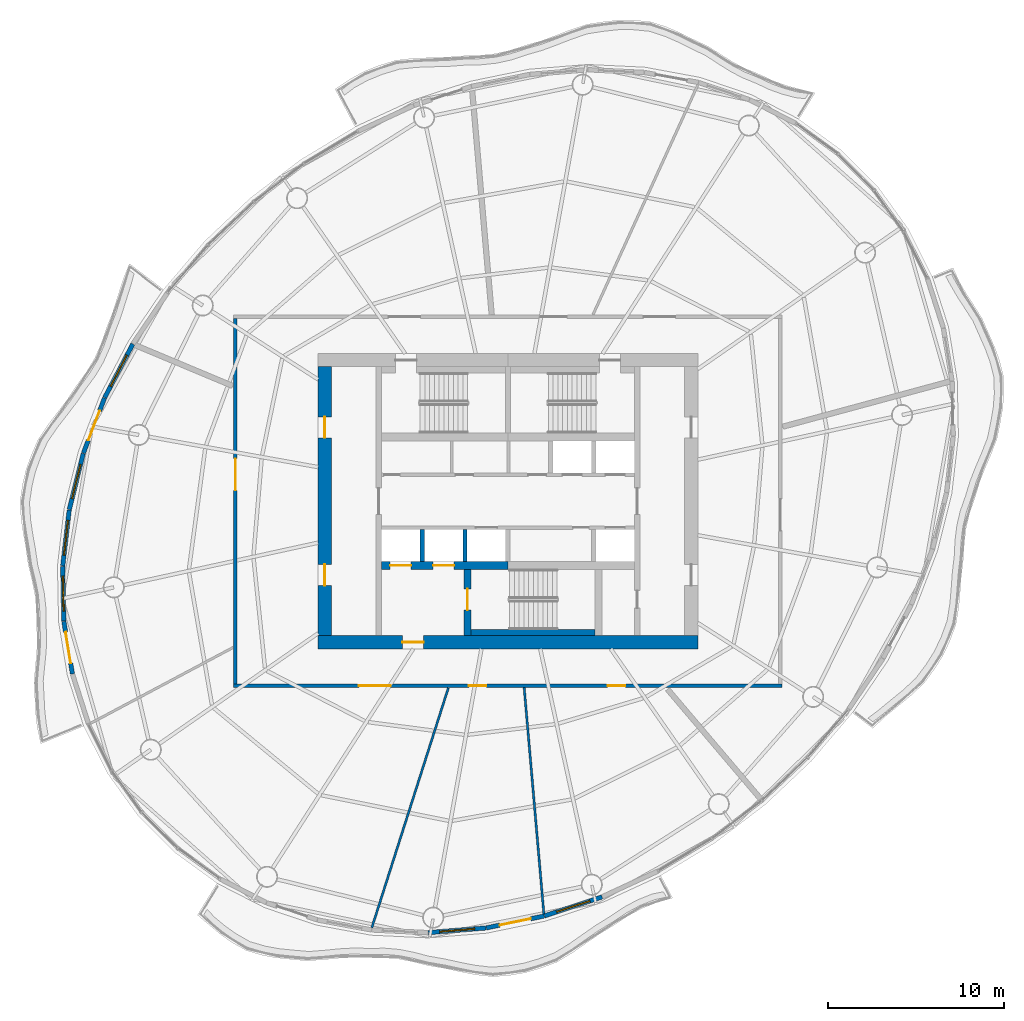
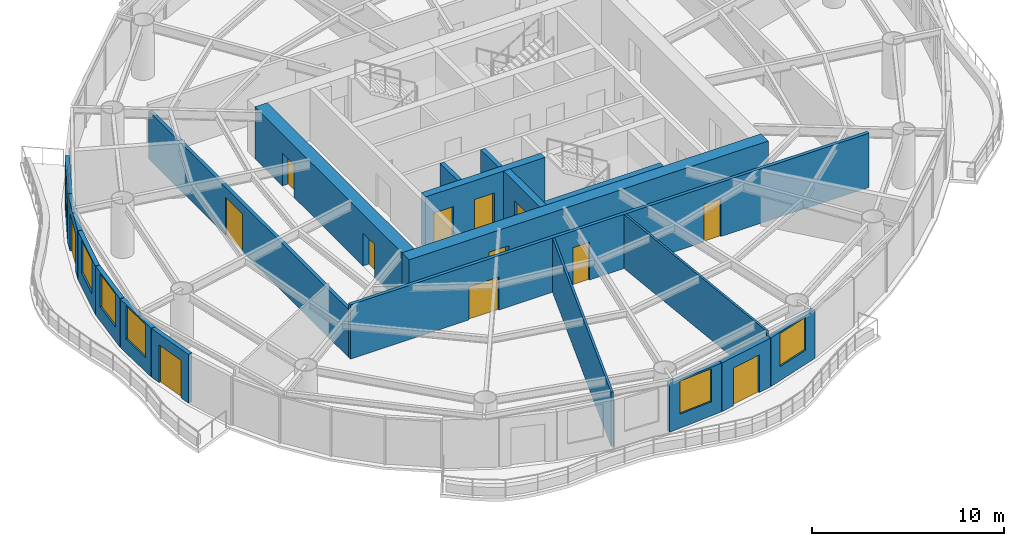
# One storey, part 8 of 14: 20 walls, 13 doors, 6 windows, 19 openings.
"""IFC4 building model written with IfcOpenShell, lengths in metres."""

from ifc_helpers import new_model, si_unit, direction, frame, frame_2d, origin, place, context, subcontext, project, spatial, rectangle, extrude, material, layer, layer_set, type_object, element, fill, save


model = new_model("IFC4")

# Units and contexts
model_context = context("Model", 3, precision=1e-05, world=origin(), true_north=direction((0.0, 1.0)))
body_context = subcontext(model_context, "Body", "Model", "MODEL_VIEW")
ifc_project = project(units=[si_unit("LENGTHUNIT", "METRE"), si_unit("AREAUNIT", "SQUARE_METRE"), si_unit("VOLUMEUNIT", "CUBIC_METRE"), si_unit("PLANEANGLEUNIT", "RADIAN"), si_unit("MASSUNIT", "GRAM", prefix="KILO")], contexts=[model_context])

# Site, building, storey
site_placement = place(None, origin())
site = spatial("IfcSite", under=ifc_project, at=site_placement, CompositionType="ELEMENT")
building_placement = place(site_placement, origin())
building = spatial("IfcBuilding", under=site, at=building_placement, Name="Vermilion Reach Broadcast Tower", CompositionType="ELEMENT")
storey_placement = place(building_placement, frame((0.0, 0.0, 195.699951171875)))
storey = spatial("IfcBuildingStorey", under=building, at=storey_placement, Name="L47", CompositionType="ELEMENT", Elevation=195.699951171875)

# Wall, opening, door
ifc_material_1 = material(Name="Concrete C60", Category="concrete")
ifc_layer_1 = layer(ifc_material_1, 0.39990234375)
ifc_layer_set_1 = layer_set([ifc_layer_1], Name="Core inner wall 400 mm Concrete C60")
wall_type_1 = type_object("IfcWallType", Name="Core inner wall 400 mm Concrete C60", PredefinedType="SHEAR", material=ifc_layer_set_1)
wall_1_placement = place(storey_placement, frame((-8.300048828125, -3.8798828125, 0.0), z_axis=(0.0, 0.0, 1.0), x_axis=(0.0, -1.0, 0.0)))
wall_1 = element("IfcWall", 1, at=wall_1_placement, inside=storey, type_object=wall_type_1, Name="L47 core wall wa", PredefinedType="SHEAR", context=body_context, shape_type="SweptSolid", body=[
    extrude(rectangle(XDim=3.77001953125, YDim=0.39990234375, at=frame_2d((1.885009765625, 0.0))), origin(), (0.0, 0.0, 1.0), 3.300048828125),
])
opening_1_placement = place(wall_1_placement, frame((1.110107421875, 0.0, 0.0)))
opening_1 = element("IfcOpeningElement", 2, at=opening_1_placement, cuts=wall_1, Name="Opening D01", PredefinedType="OPENING", context=body_context, shape_type="SweptSolid", body=[
    extrude(rectangle(XDim=1.199951171875, YDim=2.10009765625, at=frame_2d((0.60009765625, 1.050048828125))), frame((0.0, 0.2099609375, 0.0), z_axis=(0.0, -1.0, 0.0), x_axis=(1.0, 0.0, 0.0)), (0.0, 0.0, 1.0), 0.419921875),
])
ifc_material_2 = material(Name="Painted steel fire door", Category="steel")
door_type_1 = type_object("IfcDoorType", Name="Stair door 1200 x 2100", OperationType="DOUBLE_DOOR_SINGLE_SWING", PredefinedType="NOTDEFINED", material=ifc_material_2)
door_1_placement = place(opening_1_placement, origin())
door_1 = element("IfcDoor", 3, at=door_1_placement, inside=storey, type_object=door_type_1, Name="L47 stair door ST3", OperationType="DOUBLE_DOOR_SINGLE_SWING", OverallHeight=2.10009765625, OverallWidth=1.199951171875, PredefinedType="NOTDEFINED", context=body_context, shape_type="SweptSolid", body=[
    extrude(rectangle(XDim=1.199951171875, YDim=2.10009765625, at=frame_2d((0.60009765625, 1.050048828125))), frame((0.0, 0.02490234375, 0.0), z_axis=(0.0, -1.0, 0.0), x_axis=(1.0, 0.0, 0.0)), (0.0, 0.0, 1.0), 0.050048828125),
])
fill(opening_1, door_1)

# Wall, openings, doors
ifc_material_3 = material(Name="Concrete C60", Category="concrete")
ifc_layer_2 = layer(ifc_material_3, 0.449951171875)
ifc_layer_set_2 = layer_set([ifc_layer_2], Name="Core inner wall 450 mm Concrete C60")
wall_type_2 = type_object("IfcWallType", Name="Core inner wall 450 mm Concrete C60", PredefinedType="SHEAR", material=ifc_layer_set_2)
wall_2_placement = place(storey_placement, frame((-13.199951171875, -3.655029296875, 0.0), z_axis=(0.0, 0.0, 1.0), x_axis=(1.0, 0.0, 0.0)))
wall_2 = element("IfcWall", 4, at=wall_2_placement, inside=storey, type_object=wall_type_2, Name="L47 core wall wisW", PredefinedType="SHEAR", context=body_context, shape_type="SweptSolid", body=[
    extrude(rectangle(XDim=7.199951171875, YDim=0.449951171875, at=frame_2d((3.60009765625, 0.0))), origin(), (0.0, 0.0, 1.0), 3.300048828125),
])
opening_2_placement = place(wall_2_placement, frame((0.495849609375, 0.0, 0.0)))
opening_2 = element("IfcOpeningElement", 5, at=opening_2_placement, cuts=wall_2, Name="Opening LD1", PredefinedType="OPENING", context=body_context, shape_type="SweptSolid", body=[
    extrude(rectangle(XDim=1.199951171875, YDim=2.10009765625, at=frame_2d((0.60009765625, 1.050048828125))), frame((0.0, 0.23486328125, 0.0), z_axis=(0.0, -1.0, 0.0), x_axis=(1.0, 0.0, 0.0)), (0.0, 0.0, 1.0), 0.469970703125),
])
opening_3_placement = place(wall_2_placement, frame((2.9375, 0.0, 0.0)))
opening_3 = element("IfcOpeningElement", 6, at=opening_3_placement, cuts=wall_2, Name="Opening LD1", PredefinedType="OPENING", context=body_context, shape_type="SweptSolid", body=[
    extrude(rectangle(XDim=1.199951171875, YDim=2.10009765625, at=frame_2d((0.60009765625, 1.050048828125))), frame((0.0, 0.23486328125, 0.0), z_axis=(0.0, -1.0, 0.0), x_axis=(1.0, 0.0, 0.0)), (0.0, 0.0, 1.0), 0.469970703125),
])
ifc_material_4 = material(Name="Stainless steel", Category="steel")
door_type_2 = type_object("IfcDoorType", Name="Landing door 1200 x 2100", OperationType="DOUBLE_DOOR_SLIDING", PredefinedType="NOTDEFINED", material=ifc_material_4)
door_2_placement = place(opening_2_placement, origin())
door_2 = element("IfcDoor", 7, at=door_2_placement, inside=storey, type_object=door_type_2, Name="L47 landing door FF1", OperationType="DOUBLE_DOOR_SLIDING", OverallHeight=2.10009765625, OverallWidth=1.199951171875, PredefinedType="NOTDEFINED", context=body_context, shape_type="SweptSolid", body=[
    extrude(rectangle(XDim=1.199951171875, YDim=2.10009765625, at=frame_2d((0.60009765625, 1.050048828125))), frame((0.0, 0.02490234375, 0.0), z_axis=(0.0, -1.0, 0.0), x_axis=(1.0, 0.0, 0.0)), (0.0, 0.0, 1.0), 0.050048828125),
])
fill(opening_2, door_2)
door_3_placement = place(opening_3_placement, origin())
door_3 = element("IfcDoor", 8, at=door_3_placement, inside=storey, type_object=door_type_2, Name="L47 landing door FF2", OperationType="DOUBLE_DOOR_SLIDING", OverallHeight=2.10009765625, OverallWidth=1.199951171875, PredefinedType="NOTDEFINED", context=body_context, shape_type="SweptSolid", body=[
    extrude(rectangle(XDim=1.199951171875, YDim=2.10009765625, at=frame_2d((0.60009765625, 1.050048828125))), frame((0.0, 0.02490234375, 0.0), z_axis=(0.0, -1.0, 0.0), x_axis=(1.0, 0.0, 0.0)), (0.0, 0.0, 1.0), 0.050048828125),
])
fill(opening_3, door_3)

# Wall, opening, door
ifc_material_5 = material(Name="Concrete C60", Category="concrete")
ifc_layer_3 = layer(ifc_material_5, 0.75)
ifc_layer_set_3 = layer_set([ifc_layer_3], Name="Core outer wall 750 mm Concrete C60")
wall_type_3 = type_object("IfcWallType", Name="Core outer wall 750 mm Concrete C60", PredefinedType="SHEAR", material=ifc_layer_set_3)
wall_3_placement = place(storey_placement, frame((-16.800048828125, -8.02490234375, 0.0), z_axis=(0.0, 0.0, 1.0), x_axis=(1.0, 0.0, 0.0)))
wall_3 = element("IfcWall", 9, at=wall_3_placement, inside=storey, type_object=wall_type_3, Name="L47 core wall os", PredefinedType="SHEAR", context=body_context, shape_type="SweptSolid", body=[
    extrude(rectangle(XDim=21.60009765625, YDim=0.75, at=frame_2d((10.800048828125, 0.0))), origin(), (0.0, 0.0, 1.0), 3.300048828125),
])
opening_4_placement = place(wall_3_placement, frame((4.800048828125, 0.0, 0.0)))
opening_4 = element("IfcOpeningElement", 10, at=opening_4_placement, cuts=wall_3, Name="Opening D02", PredefinedType="OPENING", context=body_context, shape_type="SweptSolid", body=[
    extrude(rectangle(XDim=1.199951171875, YDim=2.10009765625, at=frame_2d((0.60009765625, 1.050048828125))), frame((0.0, 0.385009765625, 0.0), z_axis=(0.0, -1.0, 0.0), x_axis=(1.0, 0.0, 0.0)), (0.0, 0.0, 1.0), 0.77001953125),
])
ifc_material_6 = material(Name="Painted steel fire door", Category="steel")
door_type_3 = type_object("IfcDoorType", Name="Firefighting lobby door 1200 x 2100", OperationType="DOUBLE_DOOR_SINGLE_SWING", PredefinedType="NOTDEFINED", material=ifc_material_6)
door_4_placement = place(opening_4_placement, origin())
door_4 = element("IfcDoor", 11, at=door_4_placement, inside=storey, type_object=door_type_3, Name="L47 ffdoor door FFL", OperationType="DOUBLE_DOOR_SINGLE_SWING", OverallHeight=2.10009765625, OverallWidth=1.199951171875, PredefinedType="NOTDEFINED", context=body_context, shape_type="SweptSolid", body=[
    extrude(rectangle(XDim=1.199951171875, YDim=2.10009765625, at=frame_2d((0.60009765625, 1.050048828125))), frame((0.0, 0.02490234375, 0.0), z_axis=(0.0, -1.0, 0.0), x_axis=(1.0, 0.0, 0.0)), (0.0, 0.0, 1.0), 0.050048828125),
])
fill(opening_4, door_4)

# Wall, openings, doors
wall_4_placement = place(storey_placement, frame((-16.425048828125, 7.64990234375, 0.0), z_axis=(0.0, 0.0, 1.0), x_axis=(0.0, -1.0, 0.0)))
wall_4 = element("IfcWall", 12, at=wall_4_placement, inside=storey, type_object=wall_type_3, Name="L47 core wall ow", PredefinedType="SHEAR", context=body_context, shape_type="SweptSolid", body=[
    extrude(rectangle(XDim=15.2998046875, YDim=0.75, at=frame_2d((7.64990234375, 0.0))), origin(), (0.0, 0.0, 1.0), 3.300048828125),
])
opening_5_placement = place(wall_4_placement, frame((11.25, 0.0, 0.0)))
opening_5 = element("IfcOpeningElement", 13, at=opening_5_placement, cuts=wall_4, Name="Opening D03", PredefinedType="OPENING", context=body_context, shape_type="SweptSolid", body=[
    extrude(rectangle(XDim=1.199951171875, YDim=2.10009765625, at=frame_2d((0.60009765625, 1.050048828125))), frame((0.0, 0.385009765625, 0.0), z_axis=(0.0, -1.0, 0.0), x_axis=(1.0, 0.0, 0.0)), (0.0, 0.0, 1.0), 0.77001953125),
])
opening_6_placement = place(wall_4_placement, frame((2.85009765625, 0.0, 0.0)))
opening_6 = element("IfcOpeningElement", 14, at=opening_6_placement, cuts=wall_4, Name="Opening D03", PredefinedType="OPENING", context=body_context, shape_type="SweptSolid", body=[
    extrude(rectangle(XDim=1.199951171875, YDim=2.10009765625, at=frame_2d((0.60009765625, 1.050048828125))), frame((0.0, 0.385009765625, 0.0), z_axis=(0.0, -1.0, 0.0), x_axis=(1.0, 0.0, 0.0)), (0.0, 0.0, 1.0), 0.77001953125),
])
ifc_material_7 = material(Name="Painted steel fire door", Category="steel")
door_type_4 = type_object("IfcDoorType", Name="Core lobby door 1200 x 2100", OperationType="DOUBLE_DOOR_SINGLE_SWING", PredefinedType="NOTDEFINED", material=ifc_material_7)
door_5_placement = place(opening_5_placement, origin())
door_5 = element("IfcDoor", 15, at=door_5_placement, inside=storey, type_object=door_type_4, Name="L47 slot door W0", OperationType="DOUBLE_DOOR_SINGLE_SWING", OverallHeight=2.10009765625, OverallWidth=1.199951171875, PredefinedType="NOTDEFINED", context=body_context, shape_type="SweptSolid", body=[
    extrude(rectangle(XDim=1.199951171875, YDim=2.10009765625, at=frame_2d((0.60009765625, 1.050048828125))), frame((0.0, 0.02490234375, 0.0), z_axis=(0.0, -1.0, 0.0), x_axis=(1.0, 0.0, 0.0)), (0.0, 0.0, 1.0), 0.050048828125),
])
fill(opening_5, door_5)
door_6_placement = place(opening_6_placement, origin())
door_6 = element("IfcDoor", 16, at=door_6_placement, inside=storey, type_object=door_type_4, Name="L47 slot door W1", OperationType="DOUBLE_DOOR_SINGLE_SWING", OverallHeight=2.10009765625, OverallWidth=1.199951171875, PredefinedType="NOTDEFINED", context=body_context, shape_type="SweptSolid", body=[
    extrude(rectangle(XDim=1.199951171875, YDim=2.10009765625, at=frame_2d((0.60009765625, 1.050048828125))), frame((0.0, 0.02490234375, 0.0), z_axis=(0.0, -1.0, 0.0), x_axis=(1.0, 0.0, 0.0)), (0.0, 0.0, 1.0), 0.050048828125),
])
fill(opening_6, door_6)

# Walls
ifc_material_8 = material(Name="Concrete C50", Category="concrete")
ifc_layer_4 = layer(ifc_material_8, 0.25)
ifc_layer_set_4 = layer_set([ifc_layer_4], Name="Core shaft wall 250 mm Concrete C50")
wall_type_4 = type_object("IfcWallType", Name="Core shaft wall 250 mm Concrete C50", PredefinedType="SHEAR", material=ifc_layer_set_4)
for number, where, z_axis, x_axis, name in (
    (17, (-10.88330078125, -1.60009765625, 0.0), (0.0, 0.0, 1.0), (0.0, -1.0, 0.0), "L47 core wall psS0"),
    (18, (-8.441650390625, -1.60009765625, 0.0), (0.0, 0.0, 1.0), (0.0, -1.0, 0.0), "L47 core wall psS1"),
):
    element("IfcWall", number, at=place(storey_placement, frame(where, z_axis=z_axis, x_axis=x_axis)), inside=storey, type_object=wall_type_4, Name=name, PredefinedType="SHEAR", context=body_context, shape_type="SweptSolid", body=[
        extrude(rectangle(XDim=1.829833984375, YDim=0.25, at=frame_2d((0.9150390625, 0.0))), origin(), (0.0, 0.0, 1.0), 3.300048828125),
    ])
ifc_material_9 = material(Name="Concrete C60", Category="concrete")
ifc_layer_5 = layer(ifc_material_9, 0.35009765625)
ifc_layer_set_5 = layer_set([ifc_layer_5], Name="Core stair wall 350 mm Concrete C60")
wall_type_5 = type_object("IfcWallType", Name="Core stair wall 350 mm Concrete C60", PredefinedType="SHEAR", material=ifc_layer_set_5)
wall_5_placement = place(storey_placement, frame((-8.10009765625, -7.47509765625, 0.0), z_axis=(0.0, 0.0, 1.0), x_axis=(1.0, 0.0, 0.0)))
element("IfcWall", 19, at=wall_5_placement, inside=storey, type_object=wall_type_5, Name="L47 core wall l3", PredefinedType="SHEAR", context=body_context, shape_type="SweptSolid", body=[
    extrude(rectangle(XDim=7.050048828125, YDim=0.35009765625, at=frame_2d((3.52490234375, 0.0))), origin(), (0.0, 0.0, 1.0), 3.300048828125),
])

# Wall, openings, doors
ifc_material_10 = material(Name="Fire-rated gypsum board partition")
ifc_layer_6 = layer(ifc_material_10, 0.199951171875)
ifc_layer_set_6 = layer_set([ifc_layer_6], Name="Corridor wall 200 fire-rated")
wall_type_6 = type_object("IfcWallType", Name="Corridor wall 200 fire-rated", PredefinedType="PARTITIONING", material=ifc_layer_set_6)
wall_6_placement = place(storey_placement, frame((9.60009765625, -10.5, 0.0), z_axis=(0.0, 0.0, 1.0), x_axis=(-1.0, 0.0, 0.0)))
wall_6 = element("IfcWall", 20, at=wall_6_placement, inside=storey, type_object=wall_type_6, Name="Corridor wall 47.S", PredefinedType="PARTITIONING", context=body_context, shape_type="SweptSolid", body=[
    extrude(rectangle(XDim=31.2001953125, YDim=0.199951171875, at=frame_2d((15.60009765625, 0.0))), origin(), (0.0, 0.0, 1.0), 3.449951171875),
])
opening_7_placement = place(wall_6_placement, frame((22.273193359375, 0.0, 0.0)))
opening_7 = element("IfcOpeningElement", 21, at=opening_7_placement, cuts=wall_6, Name="Opening D21", PredefinedType="OPENING", context=body_context, shape_type="SweptSolid", body=[
    extrude(rectangle(XDim=1.800048828125, YDim=2.10009765625, at=frame_2d((0.89990234375, 1.050048828125))), frame((0.0, 0.10986328125, 0.0), z_axis=(0.0, -1.0, 0.0), x_axis=(1.0, 0.0, 0.0)), (0.0, 0.0, 1.0), 0.219970703125),
])
opening_8_placement = place(wall_6_placement, frame((16.826171875, 0.0, 0.0)))
opening_8 = element("IfcOpeningElement", 22, at=opening_8_placement, cuts=wall_6, Name="Opening D23", PredefinedType="OPENING", context=body_context, shape_type="SweptSolid", body=[
    extrude(rectangle(XDim=1.0, YDim=2.39990234375, at=frame_2d((0.5, 1.199951171875))), frame((0.0, 0.10986328125, 0.0), z_axis=(0.0, -1.0, 0.0), x_axis=(1.0, 0.0, 0.0)), (0.0, 0.0, 1.0), 0.219970703125),
])
opening_9_placement = place(wall_6_placement, frame((8.926025390625, 0.0, 0.0)))
opening_9 = element("IfcOpeningElement", 23, at=opening_9_placement, cuts=wall_6, Name="Opening D23", PredefinedType="OPENING", context=body_context, shape_type="SweptSolid", body=[
    extrude(rectangle(XDim=1.0, YDim=2.39990234375, at=frame_2d((0.5, 1.199951171875))), frame((0.0, 0.10986328125, 0.0), z_axis=(0.0, -1.0, 0.0), x_axis=(1.0, 0.0, 0.0)), (0.0, 0.0, 1.0), 0.219970703125),
])
ifc_material_11 = material(Name="Timber door leaf", Category="wood")
door_type_5 = type_object("IfcDoorType", Name="Door pair 1800x2100", OperationType="NOTDEFINED", PredefinedType="DOOR", material=ifc_material_11)
door_7_placement = place(opening_7_placement, origin())
door_7 = element("IfcDoor", 24, at=door_7_placement, inside=storey, type_object=door_type_5, Name="Door 47.04", OperationType="DOUBLE_DOOR_SINGLE_SWING", OverallHeight=2.10009765625, OverallWidth=1.800048828125, PredefinedType="DOOR", context=body_context, shape_type="SweptSolid", body=[
    extrude(rectangle(XDim=1.800048828125, YDim=2.10009765625, at=frame_2d((0.89990234375, 1.050048828125))), frame((0.0, 0.02490234375, 0.0), z_axis=(0.0, -1.0, 0.0), x_axis=(1.0, 0.0, 0.0)), (0.0, 0.0, 1.0), 0.050048828125),
])
fill(opening_7, door_7)
ifc_material_12 = material(Name="Veneered timber door leaf", Category="wood")
door_type_6 = type_object("IfcDoorType", Name="Door single 1000x2400", OperationType="NOTDEFINED", PredefinedType="DOOR", material=ifc_material_12)
door_8_placement = place(opening_8_placement, origin())
door_8 = element("IfcDoor", 25, at=door_8_placement, inside=storey, type_object=door_type_6, Name="Door 47.05", OperationType="SINGLE_SWING_RIGHT", OverallHeight=2.39990234375, OverallWidth=1.0, PredefinedType="DOOR", context=body_context, shape_type="SweptSolid", body=[
    extrude(rectangle(XDim=1.0, YDim=2.39990234375, at=frame_2d((0.5, 1.199951171875))), frame((0.0, 0.02490234375, 0.0), z_axis=(0.0, -1.0, 0.0), x_axis=(1.0, 0.0, 0.0)), (0.0, 0.0, 1.0), 0.050048828125),
])
fill(opening_8, door_8)
door_9_placement = place(opening_9_placement, origin())
door_9 = element("IfcDoor", 26, at=door_9_placement, inside=storey, type_object=door_type_6, Name="Door 47.06", OperationType="SINGLE_SWING_LEFT", OverallHeight=2.39990234375, OverallWidth=1.0, PredefinedType="DOOR", context=body_context, shape_type="SweptSolid", body=[
    extrude(rectangle(XDim=1.0, YDim=2.39990234375, at=frame_2d((0.5, 1.199951171875))), frame((0.0, 0.02490234375, 0.0), z_axis=(0.0, -1.0, 0.0), x_axis=(1.0, 0.0, 0.0)), (0.0, 0.0, 1.0), 0.050048828125),
])
fill(opening_9, door_9)

# Walls
ifc_material_13 = material(Name="Fire-rated plasterboard on steel stud", Category="steel")
ifc_layer_7 = layer(ifc_material_13, 0.125)
ifc_layer_set_7 = layer_set([ifc_layer_7], Name="Partition 125 fire-rated stud")
wall_type_7 = type_object("IfcWallType", Name="Partition 125 fire-rated stud", PredefinedType="PARTITIONING", material=ifc_layer_set_7)
wall_7_placement = place(storey_placement, frame((-13.74462890625, -24.26611328125, 0.0), z_axis=(0.0, 0.0, 1.0), x_axis=(0.304038528356, 0.952659736356, 0.0)))
element("IfcWall", 27, at=wall_7_placement, inside=storey, type_object=wall_type_7, Name="Partition 47.05", PredefinedType="PARTITIONING", context=body_context, shape_type="SweptSolid", body=[
    extrude(rectangle(XDim=14.325439453125, YDim=0.125, at=frame_2d((7.16259765625, 0.0))), origin(), (0.0, 0.0, 1.0), 3.449951171875),
])
wall_8_placement = place(storey_placement, frame((-3.9560546875, -23.474365234375, 0.0), z_axis=(0.0, 0.0, 1.0), x_axis=(-0.086750319473, 0.996230084906, 0.0)))
element("IfcWall", 28, at=wall_8_placement, inside=storey, type_object=wall_type_7, Name="Partition 47.06", PredefinedType="PARTITIONING", context=body_context, shape_type="SweptSolid", body=[
    extrude(rectangle(XDim=12.91748046875, YDim=0.125, at=frame_2d((6.458740234375, 0.0))), origin(), (0.0, 0.0, 1.0), 3.449951171875),
])

# Wall, opening, window
ifc_material_14 = material(Name="Terracotta rainscreen cladding", Category="masonry")
ifc_layer_8 = layer(ifc_material_14, 0.25)
ifc_layer_set_8 = layer_set([ifc_layer_8], Name="Terracotta rainscreen wall 250")
wall_type_8 = type_object("IfcWallType", Name="Terracotta rainscreen wall 250", PredefinedType="SOLIDWALL", material=ifc_layer_set_8)
wall_9_placement = place(storey_placement, frame((-27.3408203125, 8.94140625, 0.0), z_axis=(0.0, 0.0, 1.0), x_axis=(-0.464508293803, -0.885568769203, 0.0)))
wall_9 = element("IfcWall", 29, at=wall_9_placement, inside=storey, type_object=wall_type_8, Name="External wall L47 15", PredefinedType="SOLIDWALL", context=body_context, shape_type="SweptSolid", body=[
    extrude(rectangle(XDim=3.43896484375, YDim=0.25, at=frame_2d((1.719482421875, 0.0))), origin(), (0.0, 0.0, 1.0), 3.10009765625),
])
opening_10_placement = place(wall_9_placement, frame((0.719482421875, 0.0, 0.89990234375)))
opening_10 = element("IfcOpeningElement", 30, at=opening_10_placement, cuts=wall_9, Name="Opening W03", PredefinedType="OPENING", context=body_context, shape_type="SweptSolid", body=[
    extrude(rectangle(XDim=2.0, YDim=2.10009765625, at=frame_2d((1.0, 1.050048828125))), frame((0.0, 0.135009765625, 0.0), z_axis=(0.0, -1.0, 0.0), x_axis=(1.0, 0.0, 0.0)), (0.0, 0.0, 1.0), 0.27001953125),
])
ifc_material_15 = material(Name="Low-e laminated clear glass in aluminium frame", Category="aluminium")
window_type = type_object("IfcWindowType", Name="Punched window 2000 x 2100 sill 900", PartitioningType="SINGLE_PANEL", PredefinedType="WINDOW", material=ifc_material_15)
window_1_placement = place(opening_10_placement, origin())
window_1 = element("IfcWindow", 31, at=window_1_placement, inside=storey, type_object=window_type, Name="Window L47 15", OverallHeight=2.10009765625, OverallWidth=2.0, PartitioningType="SINGLE_PANEL", PredefinedType="WINDOW", context=body_context, shape_type="SweptSolid", body=[
    extrude(rectangle(XDim=2.0, YDim=2.10009765625, at=frame_2d((1.0, 1.050048828125))), frame((0.0, 0.030029296875, 0.0), z_axis=(0.0, -1.0, 0.0), x_axis=(1.0, 0.0, 0.0)), (0.0, 0.0, 1.0), 0.06005859375),
])
fill(opening_10, window_1)

# Wall, opening, door
wall_10_placement = place(storey_placement, frame((-28.947509765625, 5.87548828125, 0.0), z_axis=(0.0, 0.0, 1.0), x_axis=(-0.358011880991, -0.933717030513, 0.0)))
wall_10 = element("IfcWall", 32, at=wall_10_placement, inside=storey, type_object=wall_type_8, Name="External wall L47 16", PredefinedType="SOLIDWALL", context=body_context, shape_type="SweptSolid", body=[
    extrude(rectangle(XDim=3.36669921875, YDim=0.25, at=frame_2d((1.683349609375, 0.0))), origin(), (0.0, 0.0, 1.0), 3.10009765625),
])
opening_11_placement = place(wall_10_placement, frame((0.782958984375, 0.0, 0.0)))
opening_11 = element("IfcOpeningElement", 33, at=opening_11_placement, cuts=wall_10, Name="Opening D70", PredefinedType="OPENING", context=body_context, shape_type="SweptSolid", body=[
    extrude(rectangle(XDim=1.800048828125, YDim=2.39990234375, at=frame_2d((0.89990234375, 1.199951171875))), frame((0.0, 0.135009765625, 0.0), z_axis=(0.0, -1.0, 0.0), x_axis=(1.0, 0.0, 0.0)), (0.0, 0.0, 1.0), 0.27001953125),
])
ifc_material_16 = material(Name="Low-e laminated clear glass in aluminium frame", Category="aluminium")
door_type_7 = type_object("IfcDoorType", Name="Balcony sliding door 1800 x 2400", OperationType="DOUBLE_DOOR_SLIDING", PredefinedType="DOOR", material=ifc_material_16)
door_10_placement = place(opening_11_placement, origin())
door_10 = element("IfcDoor", 34, at=door_10_placement, inside=storey, type_object=door_type_7, Name="Balcony door L47 run 04", OperationType="DOUBLE_DOOR_SLIDING", OverallHeight=2.39990234375, OverallWidth=1.800048828125, PredefinedType="DOOR", context=body_context, shape_type="SweptSolid", body=[
    extrude(rectangle(XDim=1.800048828125, YDim=2.39990234375, at=frame_2d((0.89990234375, 1.199951171875))), frame((0.0, 0.02490234375, 0.0), z_axis=(0.0, -1.0, 0.0), x_axis=(1.0, 0.0, 0.0)), (0.0, 0.0, 1.0), 0.050048828125),
])
fill(opening_11, door_10)

# Wall, opening, window
wall_11_placement = place(storey_placement, frame((-30.15966796875, 2.709716796875, 0.0), z_axis=(0.0, 0.0, 1.0), x_axis=(-0.241591009496, -0.970378165527, 0.0)))
wall_11 = element("IfcWall", 35, at=wall_11_placement, inside=storey, type_object=wall_type_8, Name="External wall L47 17", PredefinedType="SOLIDWALL", context=body_context, shape_type="SweptSolid", body=[
    extrude(rectangle(XDim=3.2841796875, YDim=0.25, at=frame_2d((1.64208984375, 0.0))), origin(), (0.0, 0.0, 1.0), 3.10009765625),
])
opening_12_placement = place(wall_11_placement, frame((0.64208984375, 0.0, 0.89990234375)))
opening_12 = element("IfcOpeningElement", 36, at=opening_12_placement, cuts=wall_11, Name="Opening W03", PredefinedType="OPENING", context=body_context, shape_type="SweptSolid", body=[
    extrude(rectangle(XDim=2.0, YDim=2.10009765625, at=frame_2d((1.0, 1.050048828125))), frame((0.0, 0.135009765625, 0.0), z_axis=(0.0, -1.0, 0.0), x_axis=(1.0, 0.0, 0.0)), (0.0, 0.0, 1.0), 0.27001953125),
])
window_2_placement = place(opening_12_placement, origin())
window_2 = element("IfcWindow", 37, at=window_2_placement, inside=storey, type_object=window_type, Name="Window L47 17", OverallHeight=2.10009765625, OverallWidth=2.0, PartitioningType="SINGLE_PANEL", PredefinedType="WINDOW", context=body_context, shape_type="SweptSolid", body=[
    extrude(rectangle(XDim=2.0, YDim=2.10009765625, at=frame_2d((1.0, 1.050048828125))), frame((0.0, 0.030029296875, 0.0), z_axis=(0.0, -1.0, 0.0), x_axis=(1.0, 0.0, 0.0)), (0.0, 0.0, 1.0), 0.06005859375),
])
fill(opening_12, window_2)

wall_12_placement = place(storey_placement, frame((-30.95751953125, -0.5009765625, 0.0), z_axis=(0.0, 0.0, 1.0), x_axis=(-0.115316862034, -0.99332875793, 0.0)))
wall_12 = element("IfcWall", 38, at=wall_12_placement, inside=storey, type_object=wall_type_8, Name="External wall L47 18", PredefinedType="SOLIDWALL", context=body_context, shape_type="SweptSolid", body=[
    extrude(rectangle(XDim=3.19677734375, YDim=0.25, at=frame_2d((1.598388671875, 0.0))), origin(), (0.0, 0.0, 1.0), 3.10009765625),
])
opening_13_placement = place(wall_12_placement, frame((0.598388671875, 0.0, 0.89990234375)))
opening_13 = element("IfcOpeningElement", 39, at=opening_13_placement, cuts=wall_12, Name="Opening W03", PredefinedType="OPENING", context=body_context, shape_type="SweptSolid", body=[
    extrude(rectangle(XDim=2.0, YDim=2.10009765625, at=frame_2d((1.0, 1.050048828125))), frame((0.0, 0.135009765625, 0.0), z_axis=(0.0, -1.0, 0.0), x_axis=(1.0, 0.0, 0.0)), (0.0, 0.0, 1.0), 0.27001953125),
])
window_3_placement = place(opening_13_placement, origin())
window_3 = element("IfcWindow", 40, at=window_3_placement, inside=storey, type_object=window_type, Name="Window L47 18", OverallHeight=2.10009765625, OverallWidth=2.0, PartitioningType="SINGLE_PANEL", PredefinedType="WINDOW", context=body_context, shape_type="SweptSolid", body=[
    extrude(rectangle(XDim=2.0, YDim=2.10009765625, at=frame_2d((1.0, 1.050048828125))), frame((0.0, 0.030029296875, 0.0), z_axis=(0.0, -1.0, 0.0), x_axis=(1.0, 0.0, 0.0)), (0.0, 0.0, 1.0), 0.06005859375),
])
fill(opening_13, window_3)

wall_13_placement = place(storey_placement, frame((-31.327392578125, -3.701416015625, 0.0), z_axis=(0.0, 0.0, 1.0), x_axis=(0.01970563503, -0.999805825122, 0.0)))
wall_13 = element("IfcWall", 41, at=wall_13_placement, inside=storey, type_object=wall_type_8, Name="External wall L47 19", PredefinedType="SOLIDWALL", context=body_context, shape_type="SweptSolid", body=[
    extrude(rectangle(XDim=3.109619140625, YDim=0.25, at=frame_2d((1.5546875, 0.0))), origin(), (0.0, 0.0, 1.0), 3.10009765625),
])
opening_14_placement = place(wall_13_placement, frame((0.554931640625, 0.0, 0.89990234375)))
opening_14 = element("IfcOpeningElement", 42, at=opening_14_placement, cuts=wall_13, Name="Opening W03", PredefinedType="OPENING", context=body_context, shape_type="SweptSolid", body=[
    extrude(rectangle(XDim=2.0, YDim=2.10009765625, at=frame_2d((1.0, 1.050048828125))), frame((0.0, 0.135009765625, 0.0), z_axis=(0.0, -1.0, 0.0), x_axis=(1.0, 0.0, 0.0)), (0.0, 0.0, 1.0), 0.27001953125),
])
window_4_placement = place(opening_14_placement, origin())
window_4 = element("IfcWindow", 43, at=window_4_placement, inside=storey, type_object=window_type, Name="Window L47 19", OverallHeight=2.10009765625, OverallWidth=2.0, PartitioningType="SINGLE_PANEL", PredefinedType="WINDOW", context=body_context, shape_type="SweptSolid", body=[
    extrude(rectangle(XDim=2.0, YDim=2.10009765625, at=frame_2d((1.0, 1.050048828125))), frame((0.0, 0.030029296875, 0.0), z_axis=(0.0, -1.0, 0.0), x_axis=(1.0, 0.0, 0.0)), (0.0, 0.0, 1.0), 0.06005859375),
])
fill(opening_14, window_4)

# Wall, opening, door
wall_14_placement = place(storey_placement, frame((-31.263916015625, -6.836181640625, 0.0), z_axis=(0.0, 0.0, 1.0), x_axis=(0.161248834654, -0.986913782112, 0.0)))
wall_14 = element("IfcWall", 44, at=wall_14_placement, inside=storey, type_object=wall_type_8, Name="External wall L47 20", PredefinedType="SOLIDWALL", context=body_context, shape_type="SweptSolid", body=[
    extrude(rectangle(XDim=3.029541015625, YDim=0.25, at=frame_2d((1.5146484375, 0.0))), origin(), (0.0, 0.0, 1.0), 3.10009765625),
])
opening_15_placement = place(wall_14_placement, frame((0.614990234375, 0.0, 0.0)))
opening_15 = element("IfcOpeningElement", 45, at=opening_15_placement, cuts=wall_14, Name="Opening D70", PredefinedType="OPENING", context=body_context, shape_type="SweptSolid", body=[
    extrude(rectangle(XDim=1.800048828125, YDim=2.39990234375, at=frame_2d((0.89990234375, 1.199951171875))), frame((0.0, 0.135009765625, 0.0), z_axis=(0.0, -1.0, 0.0), x_axis=(1.0, 0.0, 0.0)), (0.0, 0.0, 1.0), 0.27001953125),
])
door_11_placement = place(opening_15_placement, origin())
door_11 = element("IfcDoor", 46, at=door_11_placement, inside=storey, type_object=door_type_7, Name="Balcony door L47 run 05", OperationType="DOUBLE_DOOR_SLIDING", OverallHeight=2.39990234375, OverallWidth=1.800048828125, PredefinedType="DOOR", context=body_context, shape_type="SweptSolid", body=[
    extrude(rectangle(XDim=1.800048828125, YDim=2.39990234375, at=frame_2d((0.89990234375, 1.199951171875))), frame((0.0, 0.02490234375, 0.0), z_axis=(0.0, -1.0, 0.0), x_axis=(1.0, 0.0, 0.0)), (0.0, 0.0, 1.0), 0.050048828125),
])
fill(opening_15, door_11)

# Wall, opening, window
wall_15_placement = place(storey_placement, frame((-10.529296875, -24.543212890625, 0.0), z_axis=(0.0, 0.0, 1.0), x_axis=(0.996754245235, 0.080504500529, 0.0)))
wall_15 = element("IfcWall", 47, at=wall_15_placement, inside=storey, type_object=wall_type_8, Name="External wall L47 30", PredefinedType="SOLIDWALL", context=body_context, shape_type="SweptSolid", body=[
    extrude(rectangle(XDim=3.284423828125, YDim=0.25, at=frame_2d((1.64208984375, 0.0))), origin(), (0.0, 0.0, 1.0), 3.10009765625),
])
opening_16_placement = place(wall_15_placement, frame((0.64208984375, 0.0, 0.89990234375)))
opening_16 = element("IfcOpeningElement", 48, at=opening_16_placement, cuts=wall_15, Name="Opening W03", PredefinedType="OPENING", context=body_context, shape_type="SweptSolid", body=[
    extrude(rectangle(XDim=2.0, YDim=2.10009765625, at=frame_2d((1.0, 1.050048828125))), frame((0.0, 0.135009765625, 0.0), z_axis=(0.0, -1.0, 0.0), x_axis=(1.0, 0.0, 0.0)), (0.0, 0.0, 1.0), 0.27001953125),
])
window_5_placement = place(opening_16_placement, origin())
window_5 = element("IfcWindow", 49, at=window_5_placement, inside=storey, type_object=window_type, Name="Window L47 30", OverallHeight=2.10009765625, OverallWidth=2.0, PartitioningType="SINGLE_PANEL", PredefinedType="WINDOW", context=body_context, shape_type="SweptSolid", body=[
    extrude(rectangle(XDim=2.0, YDim=2.10009765625, at=frame_2d((1.0, 1.050048828125))), frame((0.0, 0.030029296875, 0.0), z_axis=(0.0, -1.0, 0.0), x_axis=(1.0, 0.0, 0.0)), (0.0, 0.0, 1.0), 0.06005859375),
])
fill(opening_16, window_5)

# Wall, opening, door
wall_16_placement = place(storey_placement, frame((-7.232666015625, -24.275634765625, 0.0), z_axis=(0.0, 0.0, 1.0), x_axis=(0.979500828614, 0.201440131914, 0.0)))
wall_16 = element("IfcWall", 50, at=wall_16_placement, inside=storey, type_object=wall_type_8, Name="External wall L47 31", PredefinedType="SOLIDWALL", context=body_context, shape_type="SweptSolid", body=[
    extrude(rectangle(XDim=3.366943359375, YDim=0.25, at=frame_2d((1.68359375, 0.0))), origin(), (0.0, 0.0, 1.0), 3.10009765625),
])
opening_17_placement = place(wall_16_placement, frame((0.782958984375, 0.0, 0.0)))
opening_17 = element("IfcOpeningElement", 51, at=opening_17_placement, cuts=wall_16, Name="Opening D70", PredefinedType="OPENING", context=body_context, shape_type="SweptSolid", body=[
    extrude(rectangle(XDim=1.800048828125, YDim=2.39990234375, at=frame_2d((0.89990234375, 1.199951171875))), frame((0.0, 0.135009765625, 0.0), z_axis=(0.0, -1.0, 0.0), x_axis=(1.0, 0.0, 0.0)), (0.0, 0.0, 1.0), 0.27001953125),
])
door_12_placement = place(opening_17_placement, origin())
door_12 = element("IfcDoor", 52, at=door_12_placement, inside=storey, type_object=door_type_7, Name="Balcony door L47 run 08", OperationType="DOUBLE_DOOR_SLIDING", OverallHeight=2.39990234375, OverallWidth=1.800048828125, PredefinedType="DOOR", context=body_context, shape_type="SweptSolid", body=[
    extrude(rectangle(XDim=1.800048828125, YDim=2.39990234375, at=frame_2d((0.89990234375, 1.199951171875))), frame((0.0, 0.02490234375, 0.0), z_axis=(0.0, -1.0, 0.0), x_axis=(1.0, 0.0, 0.0)), (0.0, 0.0, 1.0), 0.050048828125),
])
fill(opening_17, door_12)

# Wall, opening, window
wall_17_placement = place(storey_placement, frame((-3.9130859375, -23.591552734375, 0.0), z_axis=(0.0, 0.0, 1.0), x_axis=(0.949348540896, 0.314224995663, 0.0)))
wall_17 = element("IfcWall", 53, at=wall_17_placement, inside=storey, type_object=wall_type_8, Name="External wall L47 32", PredefinedType="SOLIDWALL", context=body_context, shape_type="SweptSolid", body=[
    extrude(rectangle(XDim=3.438720703125, YDim=0.25, at=frame_2d((1.71923828125, 0.0))), origin(), (0.0, 0.0, 1.0), 3.10009765625),
])
opening_18_placement = place(wall_17_placement, frame((0.719482421875, 0.0, 0.89990234375)))
opening_18 = element("IfcOpeningElement", 54, at=opening_18_placement, cuts=wall_17, Name="Opening W03", PredefinedType="OPENING", context=body_context, shape_type="SweptSolid", body=[
    extrude(rectangle(XDim=2.0, YDim=2.10009765625, at=frame_2d((1.0, 1.050048828125))), frame((0.0, 0.135009765625, 0.0), z_axis=(0.0, -1.0, 0.0), x_axis=(1.0, 0.0, 0.0)), (0.0, 0.0, 1.0), 0.27001953125),
])
window_6_placement = place(opening_18_placement, origin())
window_6 = element("IfcWindow", 55, at=window_6_placement, inside=storey, type_object=window_type, Name="Window L47 32", OverallHeight=2.10009765625, OverallWidth=2.0, PartitioningType="SINGLE_PANEL", PredefinedType="WINDOW", context=body_context, shape_type="SweptSolid", body=[
    extrude(rectangle(XDim=2.0, YDim=2.10009765625, at=frame_2d((1.0, 1.050048828125))), frame((0.0, 0.030029296875, 0.0), z_axis=(0.0, -1.0, 0.0), x_axis=(1.0, 0.0, 0.0)), (0.0, 0.0, 1.0), 0.06005859375),
])
fill(opening_18, window_6)

# Wall, opening, door
ifc_material_17 = material(Name="Fire-rated gypsum board partition")
ifc_layer_9 = layer(ifc_material_17, 0.199951171875)
ifc_layer_set_9 = layer_set([ifc_layer_9], Name="Under girder: Corridor wall 200 fire-rated")
wall_type_9 = type_object("IfcWallType", Name="Under girder: Corridor wall 200 fire-rated", PredefinedType="PARTITIONING", material=ifc_layer_set_9)
wall_18_placement = place(storey_placement, frame((-21.5, -10.39990234375, 0.0), z_axis=(0.0, 0.0, 1.0), x_axis=(0.0, 1.0, 0.0)))
wall_18 = element("IfcWall", 56, at=wall_18_placement, inside=storey, type_object=wall_type_9, Name="Corridor wall 47.W", PredefinedType="PARTITIONING", context=body_context, shape_type="SweptSolid", body=[
    extrude(rectangle(XDim=20.7998046875, YDim=0.199951171875, at=frame_2d((10.39990234375, 0.0))), origin(), (0.0, 0.0, 1.0), 3.050048828125),
])
opening_19_placement = place(wall_18_placement, frame((11.020263671875, 0.0, 0.0)))
opening_19 = element("IfcOpeningElement", 57, at=opening_19_placement, cuts=wall_18, Name="Opening D27", PredefinedType="OPENING", context=body_context, shape_type="SweptSolid", body=[
    extrude(rectangle(XDim=1.800048828125, YDim=2.39990234375, at=frame_2d((0.89990234375, 1.199951171875))), frame((0.0, 0.10986328125, 0.0), z_axis=(0.0, -1.0, 0.0), x_axis=(1.0, 0.0, 0.0)), (0.0, 0.0, 1.0), 0.219970703125),
])
ifc_material_18 = material(Name="Acoustic timber door leaf", Category="wood")
door_type_8 = type_object("IfcDoorType", Name="Door pair 1800x2400", OperationType="NOTDEFINED", PredefinedType="DOOR", material=ifc_material_18)
door_13_placement = place(opening_19_placement, origin())
door_13 = element("IfcDoor", 58, at=door_13_placement, inside=storey, type_object=door_type_8, Name="Door 47.03", OperationType="DOUBLE_DOOR_SINGLE_SWING", OverallHeight=2.39990234375, OverallWidth=1.800048828125, PredefinedType="DOOR", context=body_context, shape_type="SweptSolid", body=[
    extrude(rectangle(XDim=1.800048828125, YDim=2.39990234375, at=frame_2d((0.89990234375, 1.199951171875))), frame((0.0, 0.02490234375, 0.0), z_axis=(0.0, -1.0, 0.0), x_axis=(1.0, 0.0, 0.0)), (0.0, 0.0, 1.0), 0.050048828125),
])
fill(opening_19, door_13)

save(model, "model.ifc")
